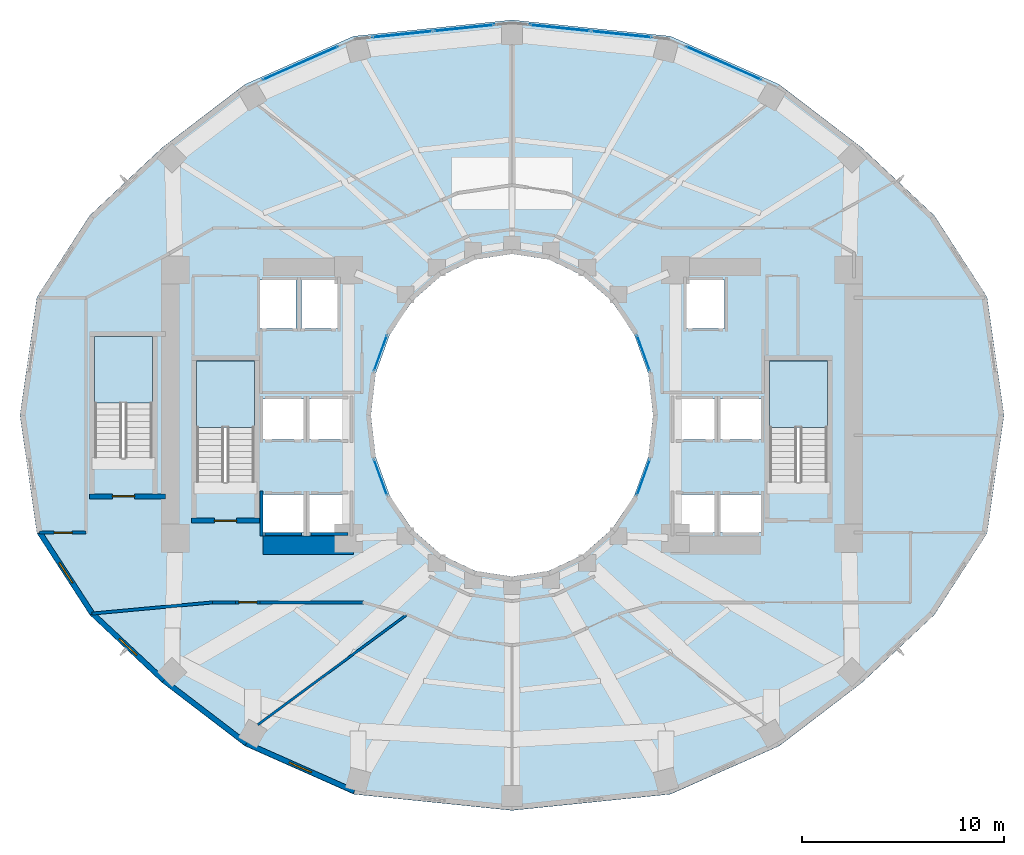
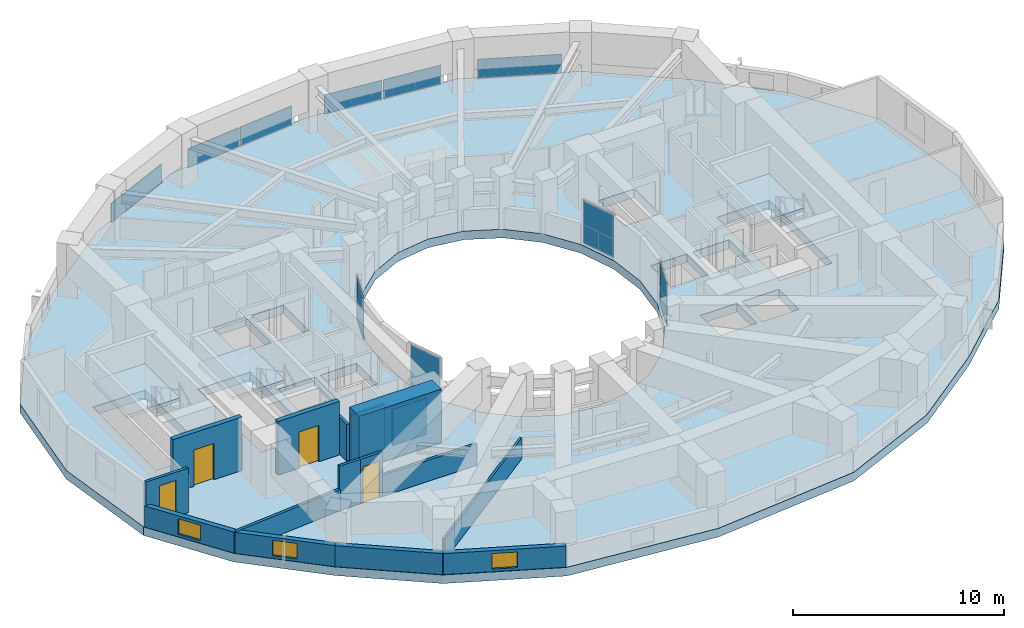
# One storey, part 11 of 19: 16 walls, 10 plates, 4 doors, 4 slabs, 3 windows, 7 openings, 11 elements without a shape of their own.
"""IFC4 building model written with IfcOpenShell, lengths in metres."""

from ifc_helpers import new_model, si_unit, direction, frame, frame_2d, origin, origin_2d, place, context, subcontext, project, spatial, polyline, rectangle, outline, extrude, material, layer, layer_set, type_object, element, fill, aggregate, save


model = new_model("IFC4")

# Units and contexts
model_context = context("Model", 3, precision=1e-05, world=origin(), true_north=direction((0.0, 1.0)))
body_context = subcontext(model_context, "Body", "Model", "MODEL_VIEW")
ifc_project = project(units=[si_unit("LENGTHUNIT", "METRE"), si_unit("AREAUNIT", "SQUARE_METRE"), si_unit("VOLUMEUNIT", "CUBIC_METRE"), si_unit("PLANEANGLEUNIT", "RADIAN"), si_unit("MASSUNIT", "GRAM", prefix="KILO")], contexts=[model_context])

# Site, building, storey
site_placement = place(None, origin())
site = spatial("IfcSite", under=ifc_project, at=site_placement, CompositionType="ELEMENT")
building_placement = place(site_placement, origin())
building = spatial("IfcBuilding", under=site, at=building_placement, Name="Solvane Sanctuary Tower", CompositionType="ELEMENT")
storey_placement = place(building_placement, frame((0.0, 0.0, 73.199951171875)))
storey = spatial("IfcBuildingStorey", under=building, at=storey_placement, Name="L21", CompositionType="ELEMENT", Elevation=73.199951171875)

# Curtain wall, plate
ifc_material_1 = material(Name="Anodised Aluminium 6063-T6", Category="aluminium")
ifc_layer_1 = layer(ifc_material_1, 0.18994140625, Name="Anodised Aluminium 6063-T6")
ifc_layer_set_1 = layer_set([ifc_layer_1], Name="Anodised Aluminium 6063-T6")
curtain_wall_type_1 = type_object("IfcCurtainWallType", Name="Curtain Wall CW-OPER", PredefinedType="NOTDEFINED", material=ifc_layer_set_1)
curtain_wall_1_placement = place(storey_placement, origin())
curtain_wall_1 = element("IfcCurtainWall", 1, at=curtain_wall_1_placement, inside=storey, type_object=curtain_wall_type_1, Name="L21 CW-OPER Facade Run 04", PredefinedType="NOTDEFINED")
ifc_material_2 = material(Name="Dark Ceramic-Fritted Low-E Glass", Category="glass")
ifc_layer_2 = layer(ifc_material_2, 0.0419921875, Name="Dark Ceramic-Fritted Low-E Glass")
ifc_layer_set_2 = layer_set([ifc_layer_2], Name="Dark Ceramic-Fritted Low-E Glass")
plate_type_1 = type_object("IfcPlateType", Name="Plate PN-OPER-VENT", PredefinedType="CURTAIN_PANEL", material=ifc_layer_set_2)
plate_1_placement = place(storey_placement, frame((42.494873046875, 40.46435546875, 0.06494140625), z_axis=(0.0, 0.0, 1.0), x_axis=(-0.914338607285, 0.404950504664, 0.0)))
plate_1 = element("IfcPlate", 2, at=plate_1_placement, type_object=plate_type_1, Name="CW-OPER panel 1.1", PredefinedType="CURTAIN_PANEL", context=body_context, shape_type="SweptSolid", body=[
    extrude(rectangle(XDim=4.06884765625, YDim=0.0419921875, at=origin_2d()), origin(), (0.0, 0.0, 1.0), 1.090087890625),
])
aggregate(curtain_wall_1, [plate_1])

# Curtain wall, plates
curtain_wall_2_placement = place(storey_placement, origin())
curtain_wall_2 = element("IfcCurtainWall", 3, at=curtain_wall_2_placement, inside=storey, type_object=curtain_wall_type_1, Name="L21 CW-OPER Facade Run 05", PredefinedType="NOTDEFINED")
plate_2_placement = place(storey_placement, frame((37.435791015625, 41.893798828125, 0.06494140625), z_axis=(0.0, 0.0, 1.0), x_axis=(-0.994819379554, 0.101658261166, 0.0)))
plate_2 = element("IfcPlate", 4, at=plate_2_placement, type_object=plate_type_1, Name="CW-OPER panel 1.1", PredefinedType="CURTAIN_PANEL", context=body_context, shape_type="SweptSolid", body=[
    extrude(rectangle(XDim=2.995849609375, YDim=0.0419921875, at=origin_2d()), origin(), (0.0, 0.0, 1.0), 1.090087890625),
])
plate_3_placement = place(storey_placement, frame((34.380615234375, 42.2060546875, 0.06494140625), z_axis=(0.0, 0.0, 1.0), x_axis=(-0.994819379554, 0.101658261166, 0.0)))
plate_3 = element("IfcPlate", 5, at=plate_3_placement, type_object=plate_type_1, Name="CW-OPER panel 2.1", PredefinedType="CURTAIN_PANEL", context=body_context, shape_type="SweptSolid", body=[
    extrude(rectangle(XDim=2.995849609375, YDim=0.0419921875, at=origin_2d()), origin(), (0.0, 0.0, 1.0), 1.090087890625),
])
aggregate(curtain_wall_2, [plate_2, plate_3])

curtain_wall_3_placement = place(storey_placement, origin())
curtain_wall_3 = element("IfcCurtainWall", 6, at=curtain_wall_3_placement, inside=storey, type_object=curtain_wall_type_1, Name="L21 CW-OPER Facade Run 06", PredefinedType="NOTDEFINED")
plate_4_placement = place(storey_placement, frame((29.619384765625, 42.2060546875, 0.06494140625), z_axis=(0.0, 0.0, 1.0), x_axis=(-0.994819379554, -0.101658261166, 0.0)))
plate_4 = element("IfcPlate", 7, at=plate_4_placement, type_object=plate_type_1, Name="CW-OPER panel 1.1", PredefinedType="CURTAIN_PANEL", context=body_context, shape_type="SweptSolid", body=[
    extrude(rectangle(XDim=2.995849609375, YDim=0.0419921875, at=origin_2d()), origin(), (0.0, 0.0, 1.0), 1.090087890625),
])
plate_5_placement = place(storey_placement, frame((26.564208984375, 41.893798828125, 0.06494140625), z_axis=(0.0, 0.0, 1.0), x_axis=(-0.994819379554, -0.101658261166, 0.0)))
plate_5 = element("IfcPlate", 8, at=plate_5_placement, type_object=plate_type_1, Name="CW-OPER panel 2.1", PredefinedType="CURTAIN_PANEL", context=body_context, shape_type="SweptSolid", body=[
    extrude(rectangle(XDim=2.995849609375, YDim=0.0419921875, at=origin_2d()), origin(), (0.0, 0.0, 1.0), 1.090087890625),
])
aggregate(curtain_wall_3, [plate_4, plate_5])

# Curtain wall, plate
curtain_wall_4_placement = place(storey_placement, origin())
curtain_wall_4 = element("IfcCurtainWall", 9, at=curtain_wall_4_placement, inside=storey, type_object=curtain_wall_type_1, Name="L21 CW-OPER Facade Run 07", PredefinedType="NOTDEFINED")
plate_6_placement = place(storey_placement, frame((21.505126953125, 40.46435546875, 0.06494140625), z_axis=(0.0, 0.0, 1.0), x_axis=(-0.914338607285, -0.404950504664, 0.0)))
plate_6 = element("IfcPlate", 10, at=plate_6_placement, type_object=plate_type_1, Name="CW-OPER panel 1.1", PredefinedType="CURTAIN_PANEL", context=body_context, shape_type="SweptSolid", body=[
    extrude(rectangle(XDim=4.06884765625, YDim=0.0419921875, at=origin_2d()), origin(), (0.0, 0.0, 1.0), 1.090087890625),
])
aggregate(curtain_wall_4, [plate_6])

ifc_layer_3 = layer(ifc_material_1, 0.199951171875, Name="Anodised Aluminium 6063-T6")
ifc_layer_set_3 = layer_set([ifc_layer_3], Name="Anodised Aluminium 6063-T6")
curtain_wall_type_2 = type_object("IfcCurtainWallType", Name="Curtain Wall CW-WELL", PredefinedType="NOTDEFINED", material=ifc_layer_set_3)
curtain_wall_5_placement = place(storey_placement, origin())
curtain_wall_5 = element("IfcCurtainWall", 11, at=curtain_wall_5_placement, inside=storey, type_object=curtain_wall_type_2, Name="L21 Light-Well Glazed Curtain Wall 01", PredefinedType="NOTDEFINED")
ifc_material_3 = material(Name="Clear Laminated Light-Well Glass", Category="glass")
ifc_layer_4 = layer(ifc_material_3, 0.02392578125, Name="Clear Laminated Light-Well Glass")
ifc_layer_set_4 = layer_set([ifc_layer_4], Name="Clear Laminated Light-Well Glass")
plate_type_2 = type_object("IfcPlateType", Name="Plate PN-WELL-GLZ", PredefinedType="CURTAIN_PANEL", material=ifc_layer_set_4)
plate_7_placement = place(storey_placement, frame((38.521728515625, 26.080810546875, 0.06494140625), z_axis=(0.0, 0.0, 1.0), x_axis=(-0.341358483781, 0.939933181429, 0.0)))
plate_7 = element("IfcPlate", 12, at=plate_7_placement, type_object=plate_type_2, Name="CW-WELL panel 1.1", PredefinedType="CURTAIN_PANEL", context=body_context, shape_type="SweptSolid", body=[
    extrude(rectangle(XDim=1.853515625, YDim=0.02392578125, at=origin_2d()), origin(), (0.0, 0.0, 1.0), 2.469970703125),
])
aggregate(curtain_wall_5, [plate_7])

curtain_wall_6_placement = place(storey_placement, origin())
curtain_wall_6 = element("IfcCurtainWall", 13, at=curtain_wall_6_placement, inside=storey, type_object=curtain_wall_type_2, Name="L21 Light-Well Glazed Curtain Wall 10", PredefinedType="NOTDEFINED")
plate_8_placement = place(storey_placement, frame((25.478271484375, 26.080810546875, 0.06494140625), z_axis=(0.0, 0.0, 1.0), x_axis=(-0.341358483781, -0.939933181429, 0.0)))
plate_8 = element("IfcPlate", 14, at=plate_8_placement, type_object=plate_type_2, Name="CW-WELL panel 1.1", PredefinedType="CURTAIN_PANEL", context=body_context, shape_type="SweptSolid", body=[
    extrude(rectangle(XDim=1.853515625, YDim=0.02392578125, at=origin_2d()), origin(), (0.0, 0.0, 1.0), 2.469970703125),
])
aggregate(curtain_wall_6, [plate_8])

curtain_wall_7_placement = place(storey_placement, origin())
curtain_wall_7 = element("IfcCurtainWall", 15, at=curtain_wall_7_placement, inside=storey, type_object=curtain_wall_type_2, Name="L21 Light-Well Glazed Curtain Wall 13", PredefinedType="NOTDEFINED")
plate_9_placement = place(storey_placement, frame((25.478271484375, 19.919189453125, 0.06494140625), z_axis=(0.0, 0.0, 1.0), x_axis=(0.341358483781, -0.939933181429, 0.0)))
plate_9 = element("IfcPlate", 16, at=plate_9_placement, type_object=plate_type_2, Name="CW-WELL panel 1.1", PredefinedType="CURTAIN_PANEL", context=body_context, shape_type="SweptSolid", body=[
    extrude(rectangle(XDim=1.853515625, YDim=0.02392578125, at=origin_2d()), origin(), (0.0, 0.0, 1.0), 2.469970703125),
])
aggregate(curtain_wall_7, [plate_9])

curtain_wall_8_placement = place(storey_placement, origin())
curtain_wall_8 = element("IfcCurtainWall", 17, at=curtain_wall_8_placement, inside=storey, type_object=curtain_wall_type_2, Name="L21 Light-Well Glazed Curtain Wall 22", PredefinedType="NOTDEFINED")
plate_10_placement = place(storey_placement, frame((38.521728515625, 19.919189453125, 0.06494140625), z_axis=(0.0, 0.0, 1.0), x_axis=(0.341358483781, 0.939933181429, 0.0)))
plate_10 = element("IfcPlate", 18, at=plate_10_placement, type_object=plate_type_2, Name="CW-WELL panel 1.1", PredefinedType="CURTAIN_PANEL", context=body_context, shape_type="SweptSolid", body=[
    extrude(rectangle(XDim=1.853515625, YDim=0.02392578125, at=origin_2d()), origin(), (0.0, 0.0, 1.0), 2.469970703125),
])
aggregate(curtain_wall_8, [plate_10])

# Stair, slab
ifc_material_4 = material(Name="Concrete C45/55", Category="concrete")
stair_type = type_object("IfcStairType", Name="Stair ST-TOW", PredefinedType="HALF_TURN_STAIR", material=ifc_material_4)
stair_1_placement = place(storey_placement, origin())
stair_1 = element("IfcStair", 19, at=stair_1_placement, inside=storey, type_object=stair_type, Name="L21 Exit Stair ST-1 West Core", PredefinedType="HALF_TURN_STAIR")
ifc_layer_5 = layer(ifc_material_4, 0.199951171875, Name="Concrete C45/55")
ifc_layer_set_5 = layer_set([ifc_layer_5], Name="Concrete C45/55")
slab_type_1 = type_object("IfcSlabType", Name="Slab SL-LAND-180", PredefinedType="LANDING", material=ifc_layer_set_5)
slab_1_placement = place(storey_placement, frame((0.0, 0.0, 1.35009765625)))
slab_1 = element("IfcSlab", 20, at=slab_1_placement, type_object=slab_type_1, Name="ST-1 landing 1", PredefinedType="LANDING", context=body_context, shape_type="SweptSolid", body=[
    extrude(outline(polyline([(19.219970703125, 22.39990234375), (19.219970703125, 25.699951171875), (16.360107421875, 25.699951171875), (16.360107421875, 22.39990234375), (19.219970703125, 22.39990234375)])), origin(), (0.0, 0.0, 1.0), 0.199951171875),
])
aggregate(stair_1, [slab_1])

stair_2_placement = place(storey_placement, origin())
stair_2 = element("IfcStair", 21, at=stair_2_placement, inside=storey, type_object=stair_type, Name="L21 Exit Stair ST-2 East Core", PredefinedType="HALF_TURN_STAIR")
slab_2_placement = place(storey_placement, frame((0.0, 0.0, 1.35009765625)))
slab_2 = element("IfcSlab", 22, at=slab_2_placement, type_object=slab_type_1, Name="ST-2 landing 1", PredefinedType="LANDING", context=body_context, shape_type="SweptSolid", body=[
    extrude(outline(polyline([(47.639892578125, 22.39990234375), (47.639892578125, 25.699951171875), (44.780029296875, 25.699951171875), (44.780029296875, 22.39990234375), (47.639892578125, 22.39990234375)])), origin(), (0.0, 0.0, 1.0), 0.199951171875),
])
aggregate(stair_2, [slab_2])

stair_3_placement = place(storey_placement, origin())
stair_3 = element("IfcStair", 23, at=stair_3_placement, inside=storey, type_object=stair_type, Name="L21 Exit Stair ST-3 Pilgrim Tower Stair", PredefinedType="HALF_TURN_STAIR")
slab_3_placement = place(storey_placement, frame((0.0, 0.0, 1.35009765625)))
slab_3 = element("IfcSlab", 24, at=slab_3_placement, type_object=slab_type_1, Name="ST-3 landing 1", PredefinedType="LANDING", context=body_context, shape_type="SweptSolid", body=[
    extrude(outline(polyline([(14.159912109375, 23.60009765625), (14.159912109375, 26.89990234375), (11.300048828125, 26.89990234375), (11.300048828125, 23.60009765625), (14.159912109375, 23.60009765625)])), origin(), (0.0, 0.0, 1.0), 0.199951171875),
])
aggregate(stair_3, [slab_3])

# Slab
ifc_material_5 = material(Name="Concrete C60/75", Category="concrete")
ifc_layer_6 = layer(ifc_material_5, 0.5, Name="Concrete C60/75")
ifc_layer_set_6 = layer_set([ifc_layer_6], Name="Concrete C60/75")
slab_type_2 = type_object("IfcSlabType", Name="Slab SL-XFER-500", PredefinedType="FLOOR", material=ifc_layer_set_6)
slab_4_placement = place(storey_placement, frame((0.0, 0.0, -0.5)))
element("IfcSlab", 25, at=slab_4_placement, inside=storey, type_object=slab_type_2, Name="L21 Primary Structural Slab", PredefinedType="FLOOR", context=body_context, shape_type="SweptSolid", body=[
    extrude(outline(polyline([(56.39990234375, 23.0), (55.556884765625, 28.86376953125), (52.94091796875, 32.903076171875), (49.365478515625, 36.255126953125), (45.249267578125, 39.404296875), (39.861328125, 41.795166015625), (32.0, 42.60009765625), (24.138671875, 41.795166015625), (18.750732421875, 39.404296875), (14.634521484375, 36.255126953125), (11.05908203125, 32.903076171875), (8.443115234375, 28.86376953125), (7.60009765625, 23.0), (8.443115234375, 17.13623046875), (11.05908203125, 13.096923828125), (14.634521484375, 9.744873046875), (18.750732421875, 6.595703125), (24.138671875, 4.204833984375), (32.0, 3.39990234375), (39.861328125, 4.204833984375), (45.249267578125, 6.595703125), (49.365478515625, 9.744873046875), (52.94091796875, 13.096923828125), (55.556884765625, 17.13623046875), (56.39990234375, 23.0)]), holes=[polyline([(38.761474609375, 20.929443359375), (38.062255859375, 19.0), (36.94970703125, 17.343017578125), (35.5, 16.07177734375), (33.811767578125, 15.272705078125), (32.0, 15.0), (30.188232421875, 15.272705078125), (28.5, 16.07177734375), (27.05029296875, 17.343017578125), (25.937744140625, 19.0), (25.238525390625, 20.929443359375), (25.0, 23.0), (25.238525390625, 25.070556640625), (25.937744140625, 27.0), (27.05029296875, 28.656982421875), (28.5, 29.92822265625), (30.188232421875, 30.727294921875), (32.0, 31.0), (33.811767578125, 30.727294921875), (35.5, 29.92822265625), (36.94970703125, 28.656982421875), (38.062255859375, 27.0), (38.761474609375, 25.070556640625), (39.0, 23.0), (38.761474609375, 20.929443359375)]), polyline([(16.360107421875, 19.699951171875), (16.360107421875, 25.699951171875), (19.219970703125, 25.699951171875), (19.219970703125, 19.699951171875), (16.360107421875, 19.699951171875)]), polyline([(44.780029296875, 19.699951171875), (44.780029296875, 25.699951171875), (47.639892578125, 25.699951171875), (47.639892578125, 19.699951171875), (44.780029296875, 19.699951171875)]), polyline([(11.300048828125, 20.89990234375), (11.300048828125, 26.89990234375), (14.159912109375, 26.89990234375), (14.159912109375, 20.89990234375), (11.300048828125, 20.89990234375)]), polyline([(19.64990234375, 19.080078125), (21.64990234375, 19.080078125), (21.64990234375, 17.179931640625), (19.64990234375, 17.179931640625), (19.64990234375, 19.080078125)]), polyline([(21.949951171875, 19.080078125), (23.949951171875, 19.080078125), (23.949951171875, 17.179931640625), (21.949951171875, 17.179931640625), (21.949951171875, 19.080078125)]), polyline([(40.050048828125, 19.080078125), (42.050048828125, 19.080078125), (42.050048828125, 17.179931640625), (40.050048828125, 17.179931640625), (40.050048828125, 19.080078125)]), polyline([(42.35009765625, 19.080078125), (44.35009765625, 19.080078125), (44.35009765625, 17.179931640625), (42.35009765625, 17.179931640625), (42.35009765625, 19.080078125)]), polyline([(19.64990234375, 23.800048828125), (21.64990234375, 23.800048828125), (21.64990234375, 21.800048828125), (19.64990234375, 21.800048828125), (19.64990234375, 23.800048828125)]), polyline([(42.35009765625, 23.800048828125), (44.35009765625, 23.800048828125), (44.35009765625, 21.800048828125), (42.35009765625, 21.800048828125), (42.35009765625, 23.800048828125)]), polyline([(21.949951171875, 23.800048828125), (23.949951171875, 23.800048828125), (23.949951171875, 21.800048828125), (21.949951171875, 21.800048828125), (21.949951171875, 23.800048828125)]), polyline([(40.050048828125, 23.800048828125), (42.050048828125, 23.800048828125), (42.050048828125, 21.800048828125), (40.050048828125, 21.800048828125), (40.050048828125, 23.800048828125)]), polyline([(19.5, 29.699951171875), (21.300048828125, 29.699951171875), (21.300048828125, 27.300048828125), (19.5, 27.300048828125), (19.5, 29.699951171875)]), polyline([(21.550048828125, 29.699951171875), (23.35009765625, 29.699951171875), (23.35009765625, 27.300048828125), (21.550048828125, 27.300048828125), (21.550048828125, 29.699951171875)]), polyline([(40.64990234375, 29.699951171875), (42.550048828125, 29.699951171875), (42.550048828125, 27.300048828125), (40.64990234375, 27.300048828125), (40.64990234375, 29.699951171875)])]), origin(), (0.0, 0.0, 1.0), 0.5),
])

# Wall
ifc_material_6 = material(Name="Concrete C70/85", Category="concrete")
ifc_layer_7 = layer(ifc_material_6, 0.89990234375, Name="Concrete C70/85")
ifc_layer_set_7 = layer_set([ifc_layer_7], Name="Concrete C70/85")
wall_type_1 = type_object("IfcWallType", Name="Wall W-CORE-900", PredefinedType="SHEAR", material=ifc_layer_set_7)
wall_1_placement = place(storey_placement, frame((19.64990234375, 16.550048828125, 0.0), z_axis=(0.0, 0.0, 1.0), x_axis=(1.0, 0.0, 0.0)))
element("IfcWall", 26, at=wall_1_placement, inside=storey, type_object=wall_type_1, Name="L21 Core Shear Wall WC-S", PredefinedType="SHEAR", context=body_context, shape_type="SweptSolid", body=[
    extrude(rectangle(XDim=4.5, YDim=0.89990234375, at=frame_2d((2.25, 0.0))), origin(), (0.0, 0.0, 1.0), 3.10009765625),
])

# Wall, opening, door
ifc_material_7 = material(Name="Acoustic Gypsum Partition Board")
ifc_layer_8 = layer(ifc_material_7, 0.14990234375, Name="Acoustic Gypsum Partition Board")
ifc_layer_set_8 = layer_set([ifc_layer_8], Name="Acoustic Gypsum Partition Board")
wall_type_2 = type_object("IfcWallType", Name="Wall W-CORR-150", PredefinedType="PARTITIONING", material=ifc_layer_set_8)
wall_2_placement = place(storey_placement, frame((8.558349609375, 17.1748046875, 0.0), z_axis=(0.0, 0.0, 1.0), x_axis=(1.0, 0.0, 0.0)))
wall_2 = element("IfcWall", 27, at=wall_2_placement, inside=storey, type_object=wall_type_2, Name="L21 West Shoulder South Wall", PredefinedType="PARTITIONING", context=body_context, shape_type="SweptSolid", body=[
    extrude(rectangle(XDim=2.321533203125, YDim=0.14990234375, at=frame_2d((1.16064453125, 0.0))), origin(), (0.0, 0.0, 1.0), 2.574951171875),
])
opening_1_placement = place(wall_2_placement, frame((0.73095703125, 0.0, 0.0)))
opening_1 = element("IfcOpeningElement", 28, at=opening_1_placement, cuts=wall_2, Name="Opening D-L21-10", PredefinedType="OPENING", context=body_context, shape_type="SweptSolid", body=[
    extrude(rectangle(XDim=0.89990234375, YDim=2.10009765625, at=frame_2d((0.449951171875, 1.050048828125))), frame((0.0, 0.0849609375, 0.0), z_axis=(0.0, -1.0, 0.0), x_axis=(1.0, 0.0, 0.0)), (0.0, 0.0, 1.0), 0.169921875),
])
ifc_material_8 = material(Name="Engineered Tropical Hardwood", Category="wood")
door_type_1 = type_object("IfcDoorType", Name="Door D-WET-900", OperationType="NOTDEFINED", PredefinedType="DOOR", material=ifc_material_8)
door_1_placement = place(opening_1_placement, origin())
door_1 = element("IfcDoor", 29, at=door_1_placement, inside=storey, type_object=door_type_1, Name="L21 West Shoulder South Door", OperationType="SINGLE_SWING_LEFT", OverallHeight=2.10009765625, OverallWidth=0.89990234375, PredefinedType="DOOR", context=body_context, shape_type="SweptSolid", body=[
    extrude(rectangle(XDim=0.89990234375, YDim=2.10009765625, at=frame_2d((0.449951171875, 1.050048828125))), frame((0.0, 0.02490234375, 0.0), z_axis=(0.0, -1.0, 0.0), x_axis=(1.0, 0.0, 0.0)), (0.0, 0.0, 1.0), 0.050048828125),
])
fill(opening_1, door_1)

# Wall
wall_3_placement = place(storey_placement, frame((17.14990234375, 13.719970703125, 0.0), z_axis=(0.0, 0.0, 1.0), x_axis=(1.0, 0.0, 0.0)))
element("IfcWall", 30, at=wall_3_placement, inside=storey, type_object=wall_type_2, Name="L21 SW Corner Corridor Wall", PredefinedType="PARTITIONING", context=body_context, shape_type="SweptSolid", body=[
    extrude(rectangle(XDim=1.14013671875, YDim=0.14990234375, at=frame_2d((0.570068359375, 0.0))), origin(), (0.0, 0.0, 1.0), 2.574951171875),
])

# Wall, opening, door
wall_4_placement = place(storey_placement, frame((18.2900390625, 13.719970703125, 0.0), z_axis=(0.0, 0.0, 1.0), x_axis=(1.0, 0.0, 0.0)))
wall_4 = element("IfcWall", 31, at=wall_4_placement, inside=storey, type_object=wall_type_2, Name="L21 SW Corner Corridor Wall", PredefinedType="PARTITIONING", context=body_context, shape_type="SweptSolid", body=[
    extrude(rectangle(XDim=1.219970703125, YDim=0.14990234375, at=frame_2d((0.60986328125, 0.0))), origin(), (0.0, 0.0, 1.0), 2.574951171875),
])
opening_2_placement = place(wall_4_placement, frame((0.159912109375, 0.0, 0.0)))
opening_2 = element("IfcOpeningElement", 32, at=opening_2_placement, cuts=wall_4, Name="Opening D-L21-14", PredefinedType="OPENING", context=body_context, shape_type="SweptSolid", body=[
    extrude(rectangle(XDim=0.89990234375, YDim=2.10009765625, at=frame_2d((0.449951171875, 1.050048828125))), frame((0.0, 0.0849609375, 0.0), z_axis=(0.0, -1.0, 0.0), x_axis=(1.0, 0.0, 0.0)), (0.0, 0.0, 1.0), 0.169921875),
])
door_2_placement = place(opening_2_placement, origin())
door_2 = element("IfcDoor", 33, at=door_2_placement, inside=storey, type_object=door_type_1, Name="L21 SW Corner Salon Door", OperationType="SINGLE_SWING_LEFT", OverallHeight=2.10009765625, OverallWidth=0.89990234375, PredefinedType="DOOR", context=body_context, shape_type="SweptSolid", body=[
    extrude(rectangle(XDim=0.89990234375, YDim=2.10009765625, at=frame_2d((0.449951171875, 1.050048828125))), frame((0.0, 0.02490234375, 0.0), z_axis=(0.0, -1.0, 0.0), x_axis=(1.0, 0.0, 0.0)), (0.0, 0.0, 1.0), 0.050048828125),
])
fill(opening_2, door_2)

# Walls
wall_5_placement = place(storey_placement, frame((19.510009765625, 13.719970703125, 0.0), z_axis=(0.0, 0.0, 1.0), x_axis=(1.0, 0.0, 0.0)))
element("IfcWall", 34, at=wall_5_placement, inside=storey, type_object=wall_type_2, Name="L21 SW Corner Corridor Wall", PredefinedType="PARTITIONING", context=body_context, shape_type="SweptSolid", body=[
    extrude(rectangle(XDim=5.159912109375, YDim=0.14990234375, at=frame_2d((2.580078125, 0.0))), origin(), (0.0, 0.0, 1.0), 1.219970703125),
])
wall_6_placement = place(storey_placement, frame((17.249755859375, 13.724609375, 0.0), z_axis=(0.0, 0.0, 1.0), x_axis=(-0.995748209098, -0.092116795851, 0.0)))
element("IfcWall", 35, at=wall_6_placement, inside=storey, type_object=wall_type_2, Name="L21 SW Corner Wing Wall", PredefinedType="PARTITIONING", context=body_context, shape_type="SweptSolid", body=[
    extrude(rectangle(XDim=6.111572265625, YDim=0.14990234375, at=frame_2d((3.0556640625, 0.0))), origin(), (0.0, 0.0, 1.0), 1.219970703125),
])

# Wall, opening, window
ifc_material_9 = material(Name="Precast concrete C40/50", Category="concrete")
ifc_layer_9 = layer(ifc_material_9, 0.260009765625, Name="Precast concrete C40/50")
ifc_layer_set_9 = layer_set([ifc_layer_9], Name="Precast concrete C40/50")
wall_type_3 = type_object("IfcWallType", Name="Wall W-EXT-250", PredefinedType="STANDARD", material=ifc_layer_set_9)
wall_7_placement = place(storey_placement, frame((8.578125, 17.181396484375, 0.0), z_axis=(0.0, 0.0, 1.0), x_axis=(0.544388392991, -0.838833283541, 0.0)))
wall_7 = element("IfcWall", 36, at=wall_7_placement, inside=storey, type_object=wall_type_3, Name="L21 Ceramic-Printed Facade Wall 13", PredefinedType="STANDARD", context=body_context, shape_type="SweptSolid", body=[
    extrude(rectangle(XDim=4.7783203125, YDim=0.260009765625, at=frame_2d((2.38916015625, 0.0))), origin(), (0.0, 0.0, 1.0), 1.219970703125),
])
opening_3_placement = place(wall_7_placement, frame((1.7890625, 0.0, 0.14990234375)))
opening_3 = element("IfcOpeningElement", 37, at=opening_3_placement, cuts=wall_7, Name="Opening WN-OPER-1200", PredefinedType="OPENING", context=body_context, shape_type="SweptSolid", body=[
    extrude(rectangle(XDim=1.199951171875, YDim=0.89990234375, at=frame_2d((0.60009765625, 0.449951171875))), frame((0.0, 0.139892578125, 0.0), z_axis=(0.0, -1.0, 0.0), x_axis=(1.0, 0.0, 0.0)), (0.0, 0.0, 1.0), 0.280029296875),
])
window_type = type_object("IfcWindowType", Name="Window WN-OPER-1200", PartitioningType="SINGLE_PANEL", PredefinedType="WINDOW", material=ifc_material_2)
window_1_placement = place(opening_3_placement, origin())
window_1 = element("IfcWindow", 38, at=window_1_placement, inside=storey, type_object=window_type, Name="L21 Operable Facade Window 13", OverallHeight=0.89990234375, OverallWidth=1.199951171875, PartitioningType="SINGLE_PANEL", PredefinedType="WINDOW", context=body_context, shape_type="SweptSolid", body=[
    extrude(rectangle(XDim=1.199951171875, YDim=0.89990234375, at=frame_2d((0.60009765625, 0.449951171875))), frame((0.0, 0.030029296875, 0.0), z_axis=(0.0, -1.0, 0.0), x_axis=(1.0, 0.0, 0.0)), (0.0, 0.0, 1.0), 0.06005859375),
])
fill(opening_3, window_1)

wall_8_placement = place(storey_placement, frame((11.179443359375, 13.173095703125, 0.0), z_axis=(0.0, 0.0, 1.0), x_axis=(0.730162452258, -0.68327358599, 0.0)))
wall_8 = element("IfcWall", 39, at=wall_8_placement, inside=storey, type_object=wall_type_3, Name="L21 Ceramic-Printed Facade Wall 14", PredefinedType="STANDARD", context=body_context, shape_type="SweptSolid", body=[
    extrude(rectangle(XDim=4.868408203125, YDim=0.260009765625, at=frame_2d((2.43408203125, 0.0))), origin(), (0.0, 0.0, 1.0), 1.219970703125),
])
opening_4_placement = place(wall_8_placement, frame((1.834228515625, 0.0, 0.14990234375)))
opening_4 = element("IfcOpeningElement", 40, at=opening_4_placement, cuts=wall_8, Name="Opening WN-OPER-1200", PredefinedType="OPENING", context=body_context, shape_type="SweptSolid", body=[
    extrude(rectangle(XDim=1.199951171875, YDim=0.89990234375, at=frame_2d((0.60009765625, 0.449951171875))), frame((0.0, 0.139892578125, 0.0), z_axis=(0.0, -1.0, 0.0), x_axis=(1.0, 0.0, 0.0)), (0.0, 0.0, 1.0), 0.280029296875),
])
window_2_placement = place(opening_4_placement, origin())
window_2 = element("IfcWindow", 41, at=window_2_placement, inside=storey, type_object=window_type, Name="L21 Operable Facade Window 14", OverallHeight=0.89990234375, OverallWidth=1.199951171875, PartitioningType="SINGLE_PANEL", PredefinedType="WINDOW", context=body_context, shape_type="SweptSolid", body=[
    extrude(rectangle(XDim=1.199951171875, YDim=0.89990234375, at=frame_2d((0.60009765625, 0.449951171875))), frame((0.0, 0.030029296875, 0.0), z_axis=(0.0, -1.0, 0.0), x_axis=(1.0, 0.0, 0.0)), (0.0, 0.0, 1.0), 0.06005859375),
])
fill(opening_4, window_2)

# Wall
wall_9_placement = place(storey_placement, frame((14.734130859375, 9.8466796875, 0.0), z_axis=(0.0, 0.0, 1.0), x_axis=(0.794809810864, -0.606858603427, 0.0)))
element("IfcWall", 42, at=wall_9_placement, inside=storey, type_object=wall_type_3, Name="L21 Ceramic-Printed Facade Wall 15", PredefinedType="STANDARD", context=body_context, shape_type="SweptSolid", body=[
    extrude(rectangle(XDim=5.149169921875, YDim=0.260009765625, at=frame_2d((2.57470703125, 0.0))), origin(), (0.0, 0.0, 1.0), 1.219970703125),
])

# Wall, opening, window
wall_10_placement = place(storey_placement, frame((18.82666015625, 6.721923828125, 0.0), z_axis=(0.0, 0.0, 1.0), x_axis=(0.914336605747, -0.404955023911, 0.0)))
wall_10 = element("IfcWall", 43, at=wall_10_placement, inside=storey, type_object=wall_type_3, Name="L21 Ceramic-Printed Facade Wall 16", PredefinedType="STANDARD", context=body_context, shape_type="SweptSolid", body=[
    extrude(rectangle(XDim=5.85888671875, YDim=0.260009765625, at=frame_2d((2.929443359375, 0.0))), origin(), (0.0, 0.0, 1.0), 1.219970703125),
])
opening_5_placement = place(wall_10_placement, frame((2.329345703125, 0.0, 0.14990234375)))
opening_5 = element("IfcOpeningElement", 44, at=opening_5_placement, cuts=wall_10, Name="Opening WN-OPER-1200", PredefinedType="OPENING", context=body_context, shape_type="SweptSolid", body=[
    extrude(rectangle(XDim=1.199951171875, YDim=0.89990234375, at=frame_2d((0.60009765625, 0.449951171875))), frame((0.0, 0.139892578125, 0.0), z_axis=(0.0, -1.0, 0.0), x_axis=(1.0, 0.0, 0.0)), (0.0, 0.0, 1.0), 0.280029296875),
])
window_3_placement = place(opening_5_placement, origin())
window_3 = element("IfcWindow", 45, at=window_3_placement, inside=storey, type_object=window_type, Name="L21 Operable Facade Window 16", OverallHeight=0.89990234375, OverallWidth=1.199951171875, PartitioningType="SINGLE_PANEL", PredefinedType="WINDOW", context=body_context, shape_type="SweptSolid", body=[
    extrude(rectangle(XDim=1.199951171875, YDim=0.89990234375, at=frame_2d((0.60009765625, 0.449951171875))), frame((0.0, 0.030029296875, 0.0), z_axis=(0.0, -1.0, 0.0), x_axis=(1.0, 0.0, 0.0)), (0.0, 0.0, 1.0), 0.06005859375),
])
fill(opening_5, window_3)

# Walls
ifc_layer_10 = layer(ifc_material_7, 0.1201171875, Name="Acoustic Gypsum Partition Board")
ifc_layer_set_10 = layer_set([ifc_layer_10], Name="Acoustic Gypsum Partition Board")
wall_type_4 = type_object("IfcWallType", Name="Wall W-MOV-100", PredefinedType="MOVABLE", material=ifc_layer_set_10)
wall_11_placement = place(storey_placement, frame((26.750732421875, 13.0859375, 0.0), z_axis=(0.0, 0.0, 1.0), x_axis=(-0.80430981394, -0.594210167533, 0.0)))
element("IfcWall", 46, at=wall_11_placement, inside=storey, type_object=wall_type_4, Name="L21 Sky Hall Radial Partition 240", PredefinedType="MOVABLE", context=body_context, shape_type="SweptSolid", body=[
    extrude(rectangle(XDim=9.146240234375, YDim=0.1201171875, at=frame_2d((4.5732421875, 0.0))), origin(), (0.0, 0.0, 1.0), 1.219970703125),
])
ifc_material_10 = material(Name="Concrete C50/60", Category="concrete")
ifc_layer_11 = layer(ifc_material_10, 0.14990234375, Name="Concrete C50/60")
ifc_layer_set_11 = layer_set([ifc_layer_11], Name="Concrete C50/60")
wall_type_5 = type_object("IfcWallType", Name="Wall W-SHAFT-150", PredefinedType="SOLIDWALL", material=ifc_layer_set_11)
wall_12_placement = place(storey_placement, frame((19.739990234375, 17.10009765625, 0.0), z_axis=(0.0, 0.0, 1.0), x_axis=(1.0, 0.0, 0.0)))
element("IfcWall", 47, at=wall_12_placement, inside=storey, type_object=wall_type_5, Name="L21 PL-1 Lift Shaft Wall B", PredefinedType="SOLIDWALL", context=body_context, shape_type="SweptSolid", body=[
    extrude(rectangle(XDim=1.820068359375, YDim=0.14990234375, at=frame_2d((0.91015625, 0.0))), origin(), (0.0, 0.0, 1.0), 2.574951171875),
])
wall_13_placement = place(storey_placement, frame((19.570068359375, 17.02001953125, 0.0), z_axis=(0.0, 0.0, 1.0), x_axis=(0.0, 1.0, 0.0)))
element("IfcWall", 48, at=wall_13_placement, inside=storey, type_object=wall_type_5, Name="L21 PL-1 Lift Shaft Wall S1", PredefinedType="SOLIDWALL", context=body_context, shape_type="SweptSolid", body=[
    extrude(rectangle(XDim=2.219970703125, YDim=0.14990234375, at=frame_2d((1.10986328125, 0.0))), origin(), (0.0, 0.0, 1.0), 2.1201171875),
])
wall_14_placement = place(storey_placement, frame((22.0400390625, 17.10009765625, 0.0), z_axis=(0.0, 0.0, 1.0), x_axis=(1.0, 0.0, 0.0)))
element("IfcWall", 49, at=wall_14_placement, inside=storey, type_object=wall_type_5, Name="L21 PL-2 Lift Shaft Wall B", PredefinedType="SOLIDWALL", context=body_context, shape_type="SweptSolid", body=[
    extrude(rectangle(XDim=1.820068359375, YDim=0.14990234375, at=frame_2d((0.91015625, 0.0))), origin(), (0.0, 0.0, 1.0), 2.1201171875),
])

# Wall, opening, door
ifc_layer_12 = layer(ifc_material_10, 0.25, Name="Concrete C50/60")
ifc_layer_set_12 = layer_set([ifc_layer_12], Name="Concrete C50/60")
wall_type_6 = type_object("IfcWallType", Name="Wall W-SHAFT-250", PredefinedType="SOLIDWALL", material=ifc_layer_set_12)
wall_15_placement = place(storey_placement, frame((16.10498046875, 17.77001953125, 0.0), z_axis=(0.0, 0.0, 1.0), x_axis=(1.0, 0.0, 0.0)))
wall_15 = element("IfcWall", 50, at=wall_15_placement, inside=storey, type_object=wall_type_6, Name="L21 ST-1 Load-Bearing Shaft Wall S", PredefinedType="SOLIDWALL", context=body_context, shape_type="SweptSolid", body=[
    extrude(rectangle(XDim=3.3701171875, YDim=0.25, at=frame_2d((1.68505859375, 0.0))), origin(), (0.0, 0.0, 1.0), 3.10009765625),
])
opening_6_placement = place(wall_15_placement, frame((1.135009765625, 0.0, 0.0)))
opening_6 = element("IfcOpeningElement", 51, at=opening_6_placement, cuts=wall_15, Name="Opening D-L21-01", PredefinedType="OPENING", context=body_context, shape_type="SweptSolid", body=[
    extrude(rectangle(XDim=1.10009765625, YDim=2.10009765625, at=frame_2d((0.550048828125, 1.050048828125))), frame((0.0, 0.135009765625, 0.0), z_axis=(0.0, -1.0, 0.0), x_axis=(1.0, 0.0, 0.0)), (0.0, 0.0, 1.0), 0.27001953125),
])
ifc_material_11 = material(Name="Architectural Stainless Steel 316", Category="steel")
door_type_2 = type_object("IfcDoorType", Name="Door D-STAIR", OperationType="NOTDEFINED", PredefinedType="DOOR", material=ifc_material_11)
door_3_placement = place(opening_6_placement, origin())
door_3 = element("IfcDoor", 52, at=door_3_placement, inside=storey, type_object=door_type_2, Name="L21 ST-1 Exit Stair Fire Door", OperationType="SINGLE_SWING_LEFT", OverallHeight=2.10009765625, OverallWidth=1.10009765625, PredefinedType="DOOR", context=body_context, shape_type="SweptSolid", body=[
    extrude(rectangle(XDim=1.10009765625, YDim=2.10009765625, at=frame_2d((0.550048828125, 1.050048828125))), frame((0.0, 0.02490234375, 0.0), z_axis=(0.0, -1.0, 0.0), x_axis=(1.0, 0.0, 0.0)), (0.0, 0.0, 1.0), 0.050048828125),
])
fill(opening_6, door_3)

wall_16_placement = place(storey_placement, frame((11.044921875, 18.969970703125, 0.0), z_axis=(0.0, 0.0, 1.0), x_axis=(1.0, 0.0, 0.0)))
wall_16 = element("IfcWall", 53, at=wall_16_placement, inside=storey, type_object=wall_type_6, Name="L21 ST-3 Load-Bearing Shaft Wall S", PredefinedType="SOLIDWALL", context=body_context, shape_type="SweptSolid", body=[
    extrude(rectangle(XDim=3.781982421875, YDim=0.25, at=frame_2d((1.89111328125, 0.0))), origin(), (0.0, 0.0, 1.0), 3.10009765625),
])
opening_7_placement = place(wall_16_placement, frame((1.135009765625, 0.0, 0.0)))
opening_7 = element("IfcOpeningElement", 54, at=opening_7_placement, cuts=wall_16, Name="Opening D-L21-03", PredefinedType="OPENING", context=body_context, shape_type="SweptSolid", body=[
    extrude(rectangle(XDim=1.10009765625, YDim=2.10009765625, at=frame_2d((0.550048828125, 1.050048828125))), frame((0.0, 0.135009765625, 0.0), z_axis=(0.0, -1.0, 0.0), x_axis=(1.0, 0.0, 0.0)), (0.0, 0.0, 1.0), 0.27001953125),
])
door_4_placement = place(opening_7_placement, origin())
door_4 = element("IfcDoor", 55, at=door_4_placement, inside=storey, type_object=door_type_2, Name="L21 ST-3 Exit Stair Fire Door", OperationType="SINGLE_SWING_LEFT", OverallHeight=2.10009765625, OverallWidth=1.10009765625, PredefinedType="DOOR", context=body_context, shape_type="SweptSolid", body=[
    extrude(rectangle(XDim=1.10009765625, YDim=2.10009765625, at=frame_2d((0.550048828125, 1.050048828125))), frame((0.0, 0.02490234375, 0.0), z_axis=(0.0, -1.0, 0.0), x_axis=(1.0, 0.0, 0.0)), (0.0, 0.0, 1.0), 0.050048828125),
])
fill(opening_7, door_4)

save(model, "model.ifc")
